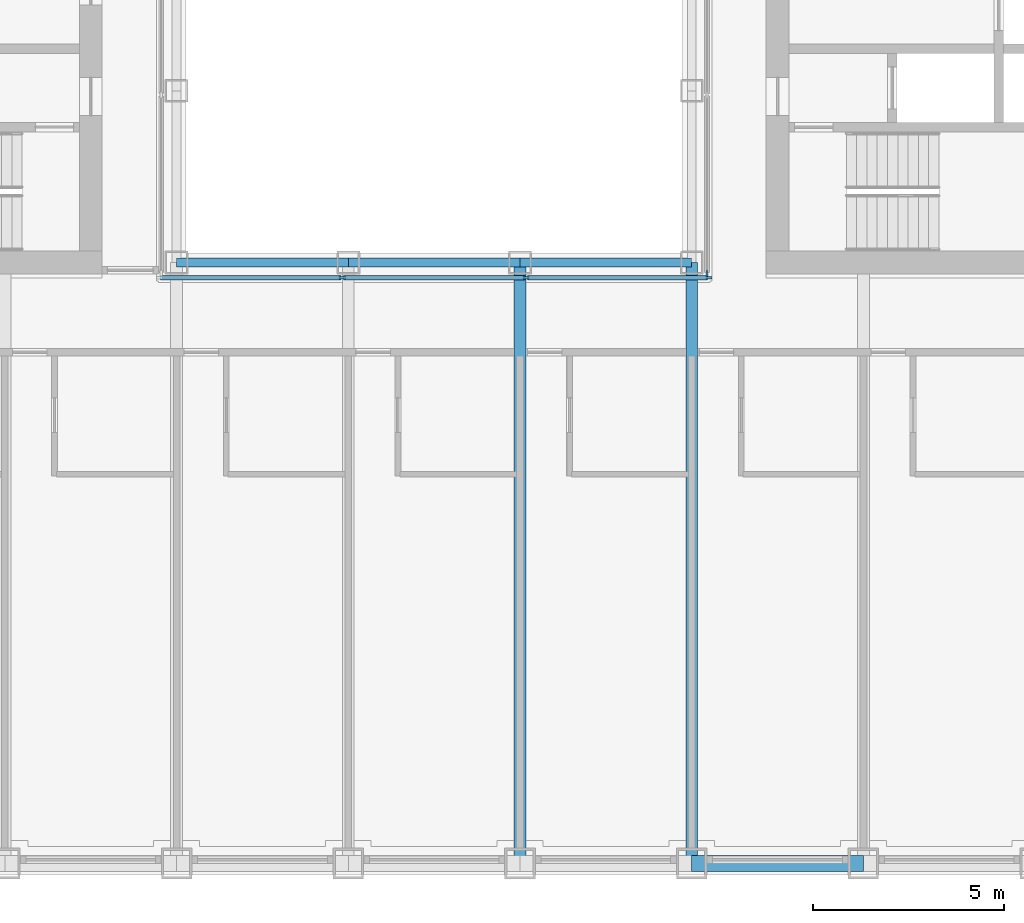
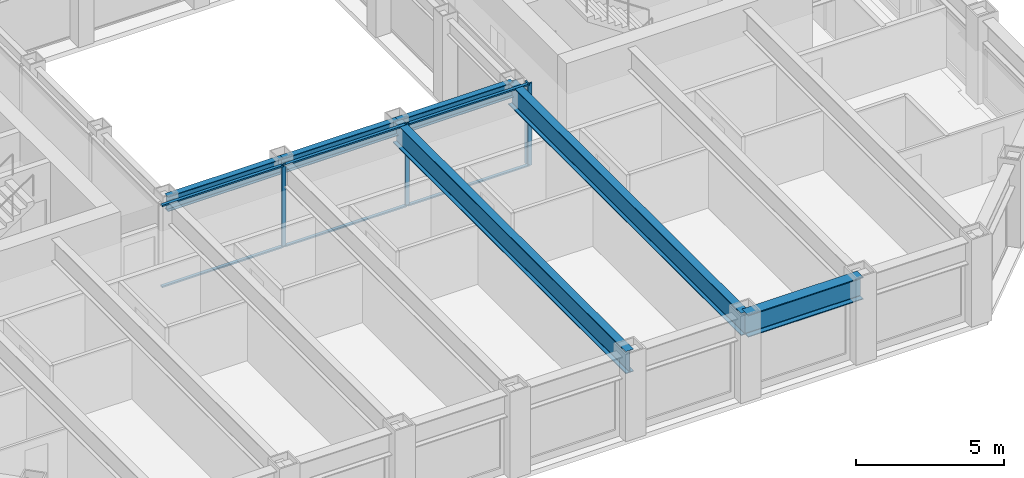
# One storey, part 3 of 18: 10 members, 6 beams, 2 elements without a shape of their own.
"""IFC4 building model written with IfcOpenShell, lengths in metres."""

from ifc_helpers import new_model, si_unit, direction, frame, origin, origin_2d, place, context, subcontext, project, spatial, rectangle, i_section, extrude, material, material_profile, profile_set, type_object, element, aggregate, save


model = new_model("IFC4")

# Units and contexts
model_context = context("Model", 3, precision=1e-05, world=origin(), true_north=direction((0.0, 1.0)))
body_context = subcontext(model_context, "Body", "Model", "MODEL_VIEW")
ifc_project = project(units=[si_unit("LENGTHUNIT", "METRE"), si_unit("AREAUNIT", "SQUARE_METRE"), si_unit("VOLUMEUNIT", "CUBIC_METRE"), si_unit("PLANEANGLEUNIT", "RADIAN"), si_unit("MASSUNIT", "GRAM", prefix="KILO")], contexts=[model_context])

# Site, building, storey
site_placement = place(None, origin())
site = spatial("IfcSite", under=ifc_project, at=site_placement, CompositionType="ELEMENT")
building_placement = place(site_placement, origin())
building = spatial("IfcBuilding", under=site, at=building_placement, Name="Msasa Ring Tower", CompositionType="ELEMENT")
storey_placement = place(building_placement, frame((0.0, 0.0, 118.39990234375)))
storey = spatial("IfcBuildingStorey", under=building, at=storey_placement, Name="L30", CompositionType="ELEMENT", Elevation=118.39990234375)

# Curtain wall, members
ifc_material_1 = material(Name="Aluminium curtain wall with clear glass", Category="aluminium")
curtain_wall_type = type_object("IfcCurtainWallType", Name="CW-W LIGHT WELL CURTAIN WALL", PredefinedType="NOTDEFINED", material=ifc_material_1)
curtain_wall_1_placement = place(storey_placement, origin())
curtain_wall_1 = element("IfcCurtainWall", 1, at=curtain_wall_1_placement, inside=storey, type_object=curtain_wall_type, Name="Light well curtain wall S L30", PredefinedType="NOTDEFINED")
ifc_material_2 = material(Name="Aluminium mullion", Category="aluminium")
ifc_material_profile_1 = material_profile(ifc_material_2, rectangle(XDim=0.06005859375, YDim=0.159912109375, at=origin_2d()), Name="AL 60x160")
ifc_profile_set_1 = profile_set([ifc_material_profile_1], Name="Aluminium mullion")
member_type_1 = type_object("IfcMemberType", Name="CW-W MULLION 60x160", PredefinedType="MULLION", material=ifc_profile_set_1)
member_1_placement = place(storey_placement, frame((-2.409912109375, -7.14990234375, 0.0), z_axis=(0.0, 0.0, 1.0), x_axis=(0.0, 1.0, 0.0)))
member_1 = element("IfcMember", 2, at=member_1_placement, type_object=member_type_1, Name="CW-W mullion 2", PredefinedType="MULLION", context=body_context, shape_type="SweptSolid", body=[
    extrude(rectangle(XDim=0.06005859375, YDim=0.159912109375, at=origin_2d()), origin(), (0.0, 0.0, 1.0), 3.400146484375),
])
member_2_placement = place(storey_placement, frame((2.409912109375, -7.14990234375, 0.0), z_axis=(0.0, 0.0, 1.0), x_axis=(0.0, 1.0, 0.0)))
member_2 = element("IfcMember", 3, at=member_2_placement, type_object=member_type_1, Name="CW-W mullion 3", PredefinedType="MULLION", context=body_context, shape_type="SweptSolid", body=[
    extrude(rectangle(XDim=0.06005859375, YDim=0.159912109375, at=origin_2d()), origin(), (0.0, 0.0, 1.0), 3.400146484375),
])
member_3_placement = place(storey_placement, frame((7.199951171875, -7.14990234375, 0.0), z_axis=(0.0, 0.0, 1.0), x_axis=(0.0, 1.0, 0.0)))
member_3 = element("IfcMember", 4, at=member_3_placement, type_object=member_type_1, Name="CW-W mullion 4", PredefinedType="MULLION", context=body_context, shape_type="SweptSolid", body=[
    extrude(rectangle(XDim=0.06005859375, YDim=0.159912109375, at=origin_2d()), origin(), (0.0, 0.0, 1.0), 3.400146484375),
])

# Curtain wall, member
curtain_wall_2_placement = place(storey_placement, origin())
curtain_wall_2 = element("IfcCurtainWall", 5, at=curtain_wall_2_placement, inside=storey, type_object=curtain_wall_type, Name="Light well curtain wall E L30", PredefinedType="NOTDEFINED")
member_4_placement = place(storey_placement, frame((7.14990234375, -7.0400390625, 0.0), z_axis=(0.0, 0.0, 1.0), x_axis=(-1.0, 0.0, 0.0)))
member_4 = element("IfcMember", 6, at=member_4_placement, type_object=member_type_1, Name="CW-W mullion 1", PredefinedType="MULLION", context=body_context, shape_type="SweptSolid", body=[
    extrude(rectangle(XDim=0.06005859375, YDim=0.159912109375, at=origin_2d()), origin(), (0.0, 0.0, 1.0), 3.400146484375),
])
aggregate(curtain_wall_2, [member_4])

# Member
ifc_material_3 = material(Name="Aluminium transom", Category="aluminium")
ifc_material_profile_2 = material_profile(ifc_material_3, rectangle(XDim=0.1201171875, YDim=0.06005859375, at=origin_2d()), Name="AL 60x120")
ifc_profile_set_2 = profile_set([ifc_material_profile_2], Name="Aluminium transom")
member_type_2 = type_object("IfcMemberType", Name="CW-W TRANSOM 60x120", PredefinedType="USERDEFINED", material=ifc_profile_set_2)
member_5_placement = place(storey_placement, frame((-7.169921875, -7.14990234375, 0.030029296875), z_axis=(1.0, 0.0, 0.0), x_axis=(0.0, 1.0, 0.0)))
member_5 = element("IfcMember", 7, at=member_5_placement, type_object=member_type_2, Name="CW-W transom 1.1", ObjectType="TRANSOM", PredefinedType="USERDEFINED", context=body_context, shape_type="SweptSolid", body=[
    extrude(rectangle(XDim=0.1201171875, YDim=0.06005859375, at=origin_2d()), origin(), (0.0, 0.0, 1.0), 4.72998046875),
])

member_6_placement = place(storey_placement, frame((-7.169921875, -7.14990234375, 3.3701171875), z_axis=(1.0, 0.0, 0.0), x_axis=(0.0, 1.0, 0.0)))
member_6 = element("IfcMember", 8, at=member_6_placement, type_object=member_type_2, Name="CW-W transom 1.2", ObjectType="TRANSOM", PredefinedType="USERDEFINED", context=body_context, shape_type="SweptSolid", body=[
    extrude(rectangle(XDim=0.1201171875, YDim=0.06005859375, at=origin_2d()), origin(), (0.0, 0.0, 1.0), 4.72998046875),
])

member_7_placement = place(storey_placement, frame((-2.3798828125, -7.14990234375, 0.030029296875), z_axis=(1.0, 0.0, 0.0), x_axis=(0.0, 1.0, 0.0)))
member_7 = element("IfcMember", 9, at=member_7_placement, type_object=member_type_2, Name="CW-W transom 2.1", ObjectType="TRANSOM", PredefinedType="USERDEFINED", context=body_context, shape_type="SweptSolid", body=[
    extrude(rectangle(XDim=0.1201171875, YDim=0.06005859375, at=origin_2d()), origin(), (0.0, 0.0, 1.0), 4.759765625),
])

member_8_placement = place(storey_placement, frame((-2.3798828125, -7.14990234375, 3.3701171875), z_axis=(1.0, 0.0, 0.0), x_axis=(0.0, 1.0, 0.0)))
member_8 = element("IfcMember", 10, at=member_8_placement, type_object=member_type_2, Name="CW-W transom 2.2", ObjectType="TRANSOM", PredefinedType="USERDEFINED", context=body_context, shape_type="SweptSolid", body=[
    extrude(rectangle(XDim=0.1201171875, YDim=0.06005859375, at=origin_2d()), origin(), (0.0, 0.0, 1.0), 4.759765625),
])

member_9_placement = place(storey_placement, frame((2.43994140625, -7.14990234375, 0.030029296875), z_axis=(1.0, 0.0, 0.0), x_axis=(0.0, 1.0, 0.0)))
member_9 = element("IfcMember", 11, at=member_9_placement, type_object=member_type_2, Name="CW-W transom 3.1", ObjectType="TRANSOM", PredefinedType="USERDEFINED", context=body_context, shape_type="SweptSolid", body=[
    extrude(rectangle(XDim=0.1201171875, YDim=0.06005859375, at=origin_2d()), origin(), (0.0, 0.0, 1.0), 4.72998046875),
])

member_10_placement = place(storey_placement, frame((2.43994140625, -7.14990234375, 3.3701171875), z_axis=(1.0, 0.0, 0.0), x_axis=(0.0, 1.0, 0.0)))
member_10 = element("IfcMember", 12, at=member_10_placement, type_object=member_type_2, Name="CW-W transom 3.2", ObjectType="TRANSOM", PredefinedType="USERDEFINED", context=body_context, shape_type="SweptSolid", body=[
    extrude(rectangle(XDim=0.1201171875, YDim=0.06005859375, at=origin_2d()), origin(), (0.0, 0.0, 1.0), 4.72998046875),
])

aggregate(curtain_wall_1, [member_1, member_2, member_3, member_5, member_6, member_7, member_8, member_9, member_10])

# Beams
ifc_material_4 = material(Name="Steel S355", Category="steel")
ifc_material_profile_3 = material_profile(ifc_material_4, i_section(OverallWidth=0.3076171875, OverallDepth=0.926513671875, WebThickness=0.01953125, FlangeThickness=0.031982421875, FilletRadius=0.01904296875, at=origin_2d()), Name="UB 914x305x289")
ifc_profile_set_3 = profile_set([ifc_material_profile_3], Name="Steel S355")
beam_type_1 = type_object("IfcBeamType", Name="FB3 UB 914x305x289", PredefinedType="BEAM", material=ifc_profile_set_3)
for number, where, z_axis, x_axis, name in (
    (13, (2.25, -22.5, 2.936767578125), (0.0, 1.0, 0.0), (-1.0, 0.0, 0.0), "Floor beam S+2.25 under L31"),
    (14, (6.75, -22.5, 2.936767578125), (0.0, 1.0, 0.0), (-1.0, 0.0, 0.0), "Floor beam S+6.75 under L31"),
):
    element("IfcBeam", number, at=place(storey_placement, frame(where, z_axis=z_axis, x_axis=x_axis)), inside=storey, type_object=beam_type_1, Name=name, PredefinedType="BEAM", context=body_context, shape_type="SweptSolid", body=[
        extrude(i_section(OverallWidth=0.3076171875, OverallDepth=0.926513671875, WebThickness=0.01953125, FlangeThickness=0.031982421875, FilletRadius=0.01904296875, at=origin_2d()), origin(), (0.0, 0.0, 1.0), 15.75),
    ])
ifc_material_5 = material(Name="Steel S355", Category="steel")
ifc_material_profile_4 = material_profile(ifc_material_5, i_section(OverallWidth=0.230224609375, OverallDepth=0.6171875, WebThickness=0.01318359375, FlangeThickness=0.022216796875, FilletRadius=0.0126953125, at=origin_2d()), Name="UB 610x229x140")
ifc_profile_set_4 = profile_set([ifc_material_profile_4], Name="Steel S355")
beam_type_2 = type_object("IfcBeamType", Name="RB1 UB 610x229x140", PredefinedType="BEAM", material=ifc_profile_set_4)
for number, where, z_axis, x_axis, name in (
    (15, (-6.75, -6.75, 3.091552734375), (1.0, 0.0, 0.0), (0.0, 1.0, 0.0), "Inner ring beam IR-6.75-6.75 under L31"),
    (16, (-2.25, -6.75, 3.091552734375), (1.0, 0.0, 0.0), (0.0, 1.0, 0.0), "Inner ring beam IR-2.25-6.75 under L31"),
    (17, (2.25, -6.75, 3.091552734375), (1.0, 0.0, 0.0), (0.0, 1.0, 0.0), "Inner ring beam IR+2.25-6.75 under L31"),
):
    element("IfcBeam", number, at=place(storey_placement, frame(where, z_axis=z_axis, x_axis=x_axis)), inside=storey, type_object=beam_type_2, Name=name, PredefinedType="BEAM", context=body_context, shape_type="SweptSolid", body=[
        extrude(i_section(OverallWidth=0.230224609375, OverallDepth=0.6171875, WebThickness=0.01318359375, FlangeThickness=0.022216796875, FilletRadius=0.0126953125, at=origin_2d()), origin(), (0.0, 0.0, 1.0), 4.5),
    ])
ifc_material_6 = material(Name="Steel S355", Category="steel")
ifc_material_profile_5 = material_profile(ifc_material_6, i_section(OverallWidth=0.42041015625, OverallDepth=0.9208984375, WebThickness=0.021484375, FlangeThickness=0.03662109375, FilletRadius=0.024169921875, at=origin_2d()), Name="UB 914x419x388")
ifc_profile_set_5 = profile_set([ifc_material_profile_5], Name="Steel S355")
beam_type_3 = type_object("IfcBeamType", Name="SB1 UB 914x419x388", PredefinedType="SPANDREL", material=ifc_profile_set_5)
beam_placement = place(storey_placement, frame((6.75, -22.5, 2.939697265625), z_axis=(1.0, 0.0, 0.0), x_axis=(0.0, 1.0, 0.0)))
element("IfcBeam", 18, at=beam_placement, inside=storey, type_object=beam_type_3, Name="Spandrel S+6.75 to S+11.25 under L31", PredefinedType="SPANDREL", context=body_context, shape_type="SweptSolid", body=[
    extrude(i_section(OverallWidth=0.42041015625, OverallDepth=0.9208984375, WebThickness=0.021484375, FlangeThickness=0.03662109375, FilletRadius=0.024169921875, at=origin_2d()), origin(), (0.0, 0.0, 1.0), 4.5),
])

save(model, "model.ifc")
